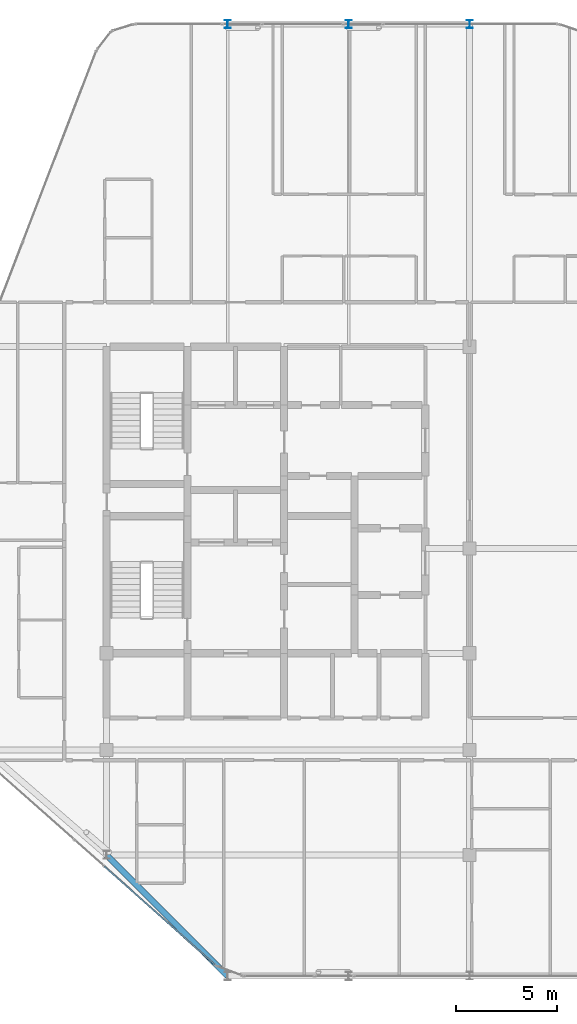
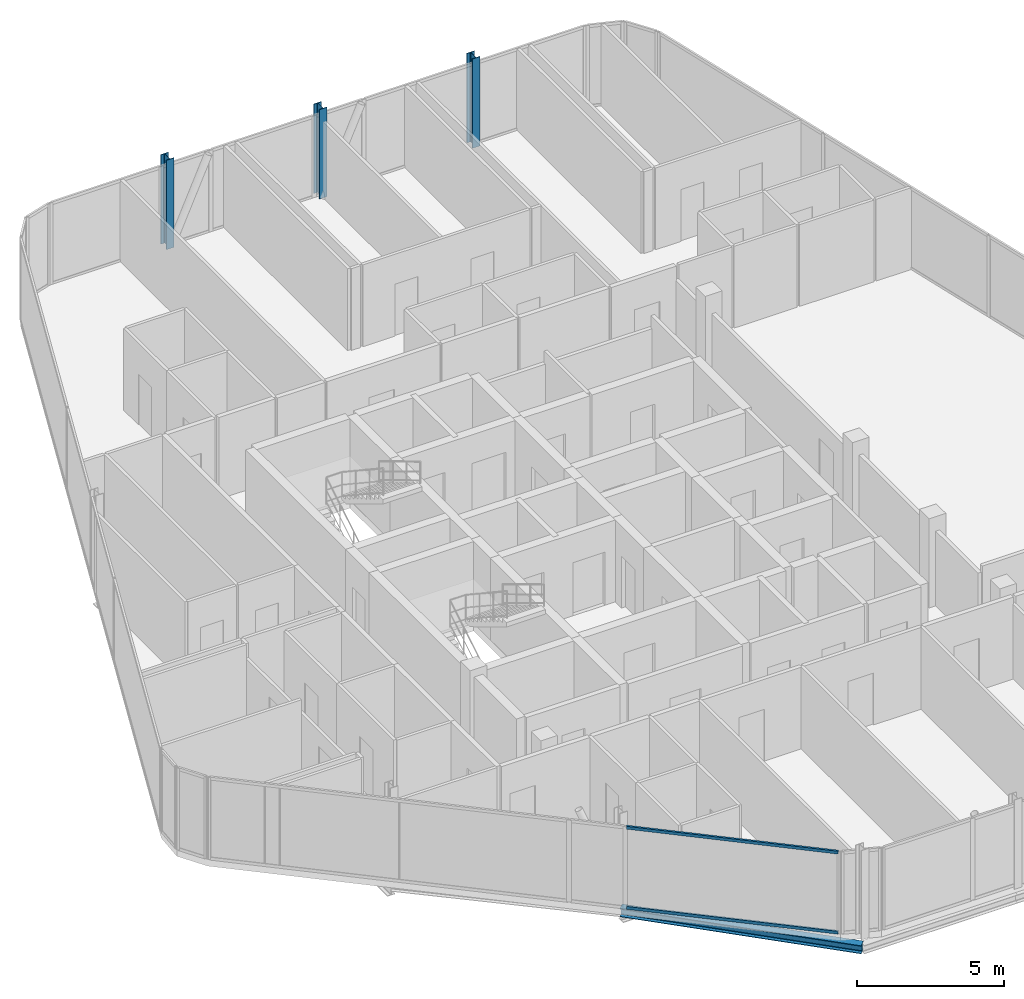
# One storey, part 2 of 27: 3 columns, 2 members, 1 beam, 1 element without a shape of its own.
"""IFC4 building model written with IfcOpenShell, lengths in metres."""

import ifcopenshell
import ifcopenshell.guid

model = None  # the IFC model being written
_history = None  # IfcOwnerHistory: only IFC2X3 demands one
_inside = {}  # id of a spatial element -> (the spatial element, [elements in it])
_under = {}  # id of a project, library or spatial element -> (it, [spatial elements below it])
_declared = {}  # id of a project -> (the project, [libraries it declares])
_typed = {}  # id of a type object -> (the type object, [elements of that type])
_made_of = {}  # id of a material, layer set ... -> (it, [elements and type objects made of it])


def new_model(schema):
    """Start an empty IFC model of exactly this schema.

    Asked for "IFC4X3", IfcOpenShell would pick the latest addendum, in which some entities
    have other attributes; the version numbers below select the first issue.
    IFC2X3 requires an IfcOwnerHistory on every rooted entity: one is made here for all.
    """
    global model, _history
    if schema == "IFC4X3":
        model = ifcopenshell.file(schema_version=(4, 3, 0, 0))
    else:
        model = ifcopenshell.file(schema=schema)
    _inside.clear()
    _under.clear()
    _declared.clear()
    _typed.clear()
    _made_of.clear()
    _history = None
    if model.schema == "IFC2X3":
        org = make("IfcOrganization", Name="unknown")
        user = make(
            "IfcPersonAndOrganization",
            ThePerson=make("IfcPerson", FamilyName="unknown"),
            TheOrganization=org,
        )
        app = make(
            "IfcApplication",
            ApplicationDeveloper=org,
            Version="unknown",
            ApplicationFullName="unknown",
            ApplicationIdentifier="unknown",
        )
        _history = make(
            "IfcOwnerHistory",
            OwningUser=user,
            OwningApplication=app,
            ChangeAction="ADDED",
            CreationDate=0,
        )
    return model


def make(cls, **values):
    """One entity of the class cls with the attributes given. An attribute that is None is left unset."""
    return model.create_entity(
        cls, **{name: value for name, value in values.items() if value is not None}
    )


def rooted(cls, **values):
    """An entity with a GlobalId (a new one), such as an element, a storey or a relation."""
    return make(cls, GlobalId=ifcopenshell.guid.new(), OwnerHistory=_history, **values)


def si_unit(unit_type, name, prefix=None):
    """IfcSIUnit, for example si_unit("LENGTHUNIT", "METRE", prefix="MILLI")."""
    return make("IfcSIUnit", UnitType=unit_type, Prefix=prefix, Name=name)


def assignment(units):
    """IfcUnitAssignment: the units of a project."""
    return None if units is None else make("IfcUnitAssignment", Units=units)


def point(xyz):
    """IfcCartesianPoint."""
    return None if xyz is None else make("IfcCartesianPoint", Coordinates=xyz)


def direction(xyz):
    """IfcDirection."""
    return None if xyz is None else make("IfcDirection", DirectionRatios=xyz)


def frame(location, z_axis=None, x_axis=None):
    """IfcAxis2Placement3D, a coordinate frame: its origin and axes. An axis left out is left unset."""
    return make(
        "IfcAxis2Placement3D",
        Location=point(location),
        Axis=direction(z_axis),
        RefDirection=direction(x_axis),
    )


def frame_2d(location, x_axis=None):
    """IfcAxis2Placement2D, a coordinate frame in the plane: its origin and x axis."""
    return make(
        "IfcAxis2Placement2D", Location=point(location), RefDirection=direction(x_axis)
    )


def origin():
    """The frame at (0, 0, 0) with its axes left unset."""
    return frame((0.0, 0.0, 0.0))


def origin_2d():
    """The frame at (0, 0) in the plane with its x axis left unset."""
    return frame_2d((0.0, 0.0))


def place(relative_to, where):
    """IfcLocalPlacement: puts the frame where relative to a parent placement (None: the world)."""
    return make(
        "IfcLocalPlacement", PlacementRelTo=relative_to, RelativePlacement=where
    )


def context(
    kind, dimensions, precision=None, world=None, true_north=None, identifier=None
):
    """IfcGeometricRepresentationContext, for example the 3D "Model" context."""
    return make(
        "IfcGeometricRepresentationContext",
        ContextIdentifier=identifier,
        ContextType=kind,
        CoordinateSpaceDimension=dimensions,
        Precision=precision,
        WorldCoordinateSystem=world,
        TrueNorth=true_north,
    )


def subcontext(parent, identifier, kind, view, scale=None):
    """IfcGeometricRepresentationSubContext, for example "Body" below "Model"."""
    return make(
        "IfcGeometricRepresentationSubContext",
        ContextIdentifier=identifier,
        ContextType=kind,
        ParentContext=parent,
        TargetScale=scale,
        TargetView=view,
    )


def project(units=None, contexts=None):
    """IfcProject with its units and contexts."""
    return rooted(
        "IfcProject",
        Name="project",
        RepresentationContexts=contexts,
        UnitsInContext=assignment(units),
    )


def spatial(cls, under=None, at=None, **own):
    """A site, building, storey or space (cls), placed at a placement, below another one or the project."""
    s = rooted(cls, ObjectPlacement=at, **own)
    if under is not None:
        _under.setdefault(under.id(), (under, []))[1].append(s)
    return s


def profile(cls, at=None, kind="AREA", **sizes):
    """A parametric profile (cls). Its sizes go by their IFC names, for example OverallWidth=200.0."""
    return make(cls, ProfileType=kind, Position=at, **sizes)


def hollow_rectangle(**sizes):
    """IfcRectangleHollowProfileDef."""
    return profile("IfcRectangleHollowProfileDef", **sizes)


def i_section(**sizes):
    """IfcIShapeProfileDef."""
    return profile("IfcIShapeProfileDef", **sizes)


def extrude(swept, where, along, depth):
    """IfcExtrudedAreaSolid: the profile swept, set in the frame where, extruded along a direction by depth."""
    return make(
        "IfcExtrudedAreaSolid",
        SweptArea=swept,
        Position=where,
        ExtrudedDirection=direction(along),
        Depth=depth,
    )


def shape(context_of_items, identifier, shape_type, items):
    """IfcShapeRepresentation: the items that make up one representation, for example the "Body"."""
    return make(
        "IfcShapeRepresentation",
        ContextOfItems=context_of_items,
        RepresentationIdentifier=identifier,
        RepresentationType=shape_type,
        Items=items,
    )


def material(Name=None, Category=None):
    """IfcMaterial."""
    return make("IfcMaterial", Name=Name, Category=Category)


def layer(
    of_material, thickness, ventilated=None, Name=None, Category=None, Priority=None
):
    """IfcMaterialLayer: one layer of a wall or slab, of a material (None: an air gap)."""
    return make(
        "IfcMaterialLayer",
        Material=of_material,
        LayerThickness=thickness,
        IsVentilated=ventilated,
        Name=Name,
        Category=Category,
        Priority=Priority,
    )


def layer_set(layers, Name=None):
    """IfcMaterialLayerSet."""
    return make("IfcMaterialLayerSet", MaterialLayers=layers, LayerSetName=Name)


def material_profile(
    of_material, cross_section, Name=None, Category=None, Priority=None
):
    """IfcMaterialProfile: a cross section and its material."""
    return make(
        "IfcMaterialProfile",
        Name=Name,
        Material=of_material,
        Profile=cross_section,
        Priority=Priority,
        Category=Category,
    )


def profile_set(profiles, Name=None, composite=None):
    """IfcMaterialProfileSet."""
    return make(
        "IfcMaterialProfileSet",
        Name=Name,
        MaterialProfiles=profiles,
        CompositeProfile=composite,
    )


def made_of(thing, what):
    """Note that an element or type object is made of a material, layer set ...; save() writes the relation."""
    if what is not None:
        _made_of.setdefault(what.id(), (what, []))[1].append(thing)
    return thing


def type_object(cls, material=None, **own):
    """A type object (cls), such as IfcWallType, which elements share."""
    return made_of(rooted(cls, **own), material)


def element(
    cls,
    number,
    at=None,
    inside=None,
    cuts=None,
    type_object=None,
    material=None,
    context=None,
    identifier="Body",
    shape_type=None,
    held_by="IfcProductDefinitionShape",
    body=None,
    shapes=None,
    **own,
):
    """One element of the class cls, such as IfcWall. Its Tag is "e" and its number.

    at: its placement. inside: the storey or other place that contains it. cuts: it is an
    opening in that element (IfcRelVoidsElement). A single representation is given by context,
    identifier, shape_type and body (its items); several are given by shapes. held_by: the class
    of the entity that holds the representations. save() writes the other relations.
    """
    e = rooted(cls, Tag="e%d" % number, ObjectPlacement=at, **own)
    if body is not None:
        shapes = [shape(context, identifier, shape_type, body)]
    if shapes is not None:
        e.Representation = make(held_by, Representations=shapes)
    if inside is not None:
        _inside.setdefault(inside.id(), (inside, []))[1].append(e)
    if cuts is not None:
        rooted(
            "IfcRelVoidsElement", RelatingBuildingElement=cuts, RelatedOpeningElement=e
        )
    if type_object is not None:
        _typed.setdefault(type_object.id(), (type_object, []))[1].append(e)
    return made_of(e, material)


def aggregate(whole, parts):
    """IfcRelAggregates: a whole, such as a stair, and the parts it consists of."""
    return rooted("IfcRelAggregates", RelatingObject=whole, RelatedObjects=parts)


def save(model, path):
    """Write the relations noted so far, then the file.

    IfcRelAggregates (storeys below a building ...), IfcRelContainedInSpatialStructure (elements
    in a storey), IfcRelDefinesByType, IfcRelAssociatesMaterial and IfcRelDeclares: one each for
    every whole, place, type object, material and project.
    """
    for whole, parts in _under.values():
        aggregate(whole, parts)
    for where, things in _inside.values():
        rooted(
            "IfcRelContainedInSpatialStructure",
            RelatedElements=things,
            RelatingStructure=where,
        )
    for kind, things in _typed.values():
        rooted("IfcRelDefinesByType", RelatedObjects=things, RelatingType=kind)
    for what, things in _made_of.values():
        rooted("IfcRelAssociatesMaterial", RelatedObjects=things, RelatingMaterial=what)
    for by, libraries in _declared.values():
        rooted("IfcRelDeclares", RelatingContext=by, RelatedDefinitions=libraries)
    model.write(path)


model = new_model("IFC4")

# Units and contexts
model_context = context("Model", 3, precision=1e-05, world=origin(), true_north=direction((0.0, 1.0)))
body_context = subcontext(model_context, "Body", "Model", "MODEL_VIEW")
ifc_project = project(units=[si_unit("LENGTHUNIT", "METRE"), si_unit("AREAUNIT", "SQUARE_METRE"), si_unit("VOLUMEUNIT", "CUBIC_METRE"), si_unit("PLANEANGLEUNIT", "RADIAN"), si_unit("MASSUNIT", "GRAM", prefix="KILO")], contexts=[model_context])

# Site, building, storey
site_placement = place(None, origin())
site = spatial("IfcSite", under=ifc_project, at=site_placement, CompositionType="ELEMENT")
building_placement = place(site_placement, origin())
building = spatial("IfcBuilding", under=site, at=building_placement, Name="Keshet Zoharim Tower", CompositionType="ELEMENT")
storey_placement = place(building_placement, frame((0.0, 0.0, 284.300048828125)))
storey = spatial("IfcBuildingStorey", under=building, at=storey_placement, Name="L71", CompositionType="ELEMENT", Elevation=284.300048828125)

# Columns
ifc_material_1 = material(Name="Steel S355", Category="steel")
ifc_material_profile_1 = material_profile(ifc_material_1, i_section(OverallWidth=0.300048828125, OverallDepth=0.39990234375, WebThickness=0.013427734375, FlangeThickness=0.02392578125, FilletRadius=0.027099609375, at=origin_2d()), Name="HEB400")
ifc_profile_set_1 = profile_set([ifc_material_profile_1], Name="Steel S355")
column_type = type_object("IfcColumnType", Name="COL-HEB400", PredefinedType="COLUMN", material=ifc_profile_set_1)
for number, where, z_axis, x_axis, name in (
    (1, (21.0, 53.89990234375, 0.0), (0.0, 0.0, 1.0), (1.0, 0.0, 0.0), "L71 Column 4L"),
    (2, (27.0, 53.89990234375, 0.0), (0.0, 0.0, 1.0), (1.0, 0.0, 0.0), "L71 Column 5L"),
    (3, (33.0, 53.89990234375, 0.0), (0.0, 0.0, 1.0), (1.0, 0.0, 0.0), "L71 Column 6L"),
):
    element("IfcColumn", number, at=place(storey_placement, frame(where, z_axis=z_axis, x_axis=x_axis)), inside=storey, type_object=column_type, Name=name, PredefinedType="COLUMN", context=body_context, shape_type="SweptSolid", body=[
        extrude(i_section(OverallWidth=0.300048828125, OverallDepth=0.39990234375, WebThickness=0.013427734375, FlangeThickness=0.02392578125, FilletRadius=0.027099609375, at=origin_2d()), origin(), (0.0, 0.0, 1.0), 3.699951171875),
    ])

# Beam
ifc_material_profile_2 = material_profile(ifc_material_1, i_section(OverallWidth=0.300048828125, OverallDepth=0.340087890625, WebThickness=0.011962890625, FlangeThickness=0.021484375, FilletRadius=0.027099609375, at=origin_2d()), Name="HEB340")
ifc_profile_set_2 = profile_set([ifc_material_profile_2], Name="Steel S355")
beam_type = type_object("IfcBeamType", Name="BM-SPN-HB340", PredefinedType="SPANDREL", material=ifc_profile_set_2)
beam_placement = place(storey_placement, frame((21.0, 6.699951171875, -0.47998046875), z_axis=(-0.707106781187, 0.707106781187, 0.0), x_axis=(-0.707106781187, -0.707106781187, 0.0)))
element("IfcBeam", 4, at=beam_placement, inside=storey, type_object=beam_type, Name="L71 Perimeter Spandrel Beam 01", PredefinedType="SPANDREL", context=body_context, shape_type="SweptSolid", body=[
    extrude(i_section(OverallWidth=0.300048828125, OverallDepth=0.340087890625, WebThickness=0.011962890625, FlangeThickness=0.021484375, FilletRadius=0.027099609375, at=origin_2d()), origin(), (0.0, 0.0, 1.0), 8.4853515625),
])

# Curtain wall, members
ifc_material_2 = material(Name="Aluminium 6063-T6", Category="aluminium")
ifc_layer = layer(ifc_material_2, 0.260009765625)
ifc_layer_set = layer_set([ifc_layer], Name="Aluminium 6063-T6")
curtain_wall_type = type_object("IfcCurtainWallType", Name="CW-SYS-06", PredefinedType="NOTDEFINED", material=ifc_layer_set)
curtain_wall_placement = place(storey_placement, origin())
curtain_wall = element("IfcCurtainWall", 5, at=curtain_wall_placement, inside=storey, type_object=curtain_wall_type, Name="L71 Unitised Curtain Wall 16", PredefinedType="NOTDEFINED")
ifc_material_profile_3 = material_profile(ifc_material_2, hollow_rectangle(XDim=0.074951171875, YDim=0.1201171875, WallThickness=0.00390625, at=origin_2d()), Name="TRN-75x120")
ifc_profile_set_3 = profile_set([ifc_material_profile_3], Name="Aluminium 6063-T6")
member_type = type_object("IfcMemberType", Name="CWT-T12", PredefinedType="USERDEFINED", material=ifc_profile_set_3)
member_1_placement = place(storey_placement, frame((20.379638671875, 7.25146484375, 0.034912109375), z_axis=(-0.747412985939, 0.664359713145, 0.0), x_axis=(-0.664359713145, -0.747412985939, 0.0)))
member_1 = element("IfcMember", 6, at=member_1_placement, type_object=member_type, Name="CW-06 transom 1.1", ObjectType="TRANSOM", PredefinedType="USERDEFINED", context=body_context, shape_type="SweptSolid", body=[
    extrude(hollow_rectangle(XDim=0.074951171875, YDim=0.1201171875, WallThickness=0.00390625, at=origin_2d()), origin(), (0.0, 0.0, 1.0), 7.345947265625),
])
member_2_placement = place(storey_placement, frame((20.379638671875, 7.25146484375, 3.35498046875), z_axis=(-0.747412985939, 0.664359713145, 0.0), x_axis=(-0.664359713145, -0.747412985939, 0.0)))
member_2 = element("IfcMember", 7, at=member_2_placement, type_object=member_type, Name="CW-06 transom 1.2", ObjectType="TRANSOM", PredefinedType="USERDEFINED", context=body_context, shape_type="SweptSolid", body=[
    extrude(hollow_rectangle(XDim=0.074951171875, YDim=0.1201171875, WallThickness=0.00390625, at=origin_2d()), origin(), (0.0, 0.0, 1.0), 7.345947265625),
])
aggregate(curtain_wall, [member_1, member_2])

save(model, "model.ifc")
